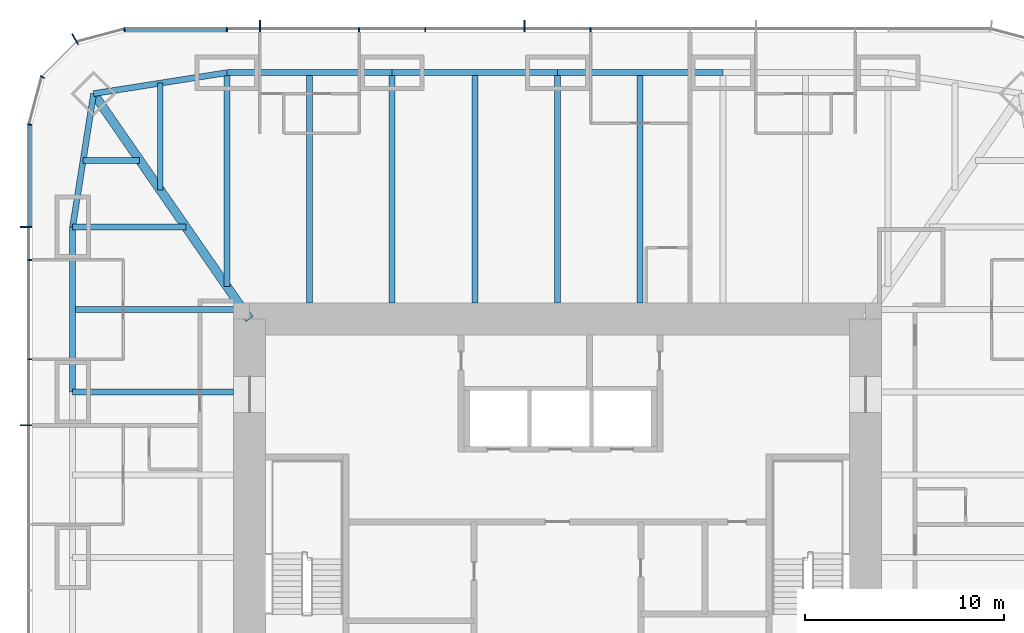
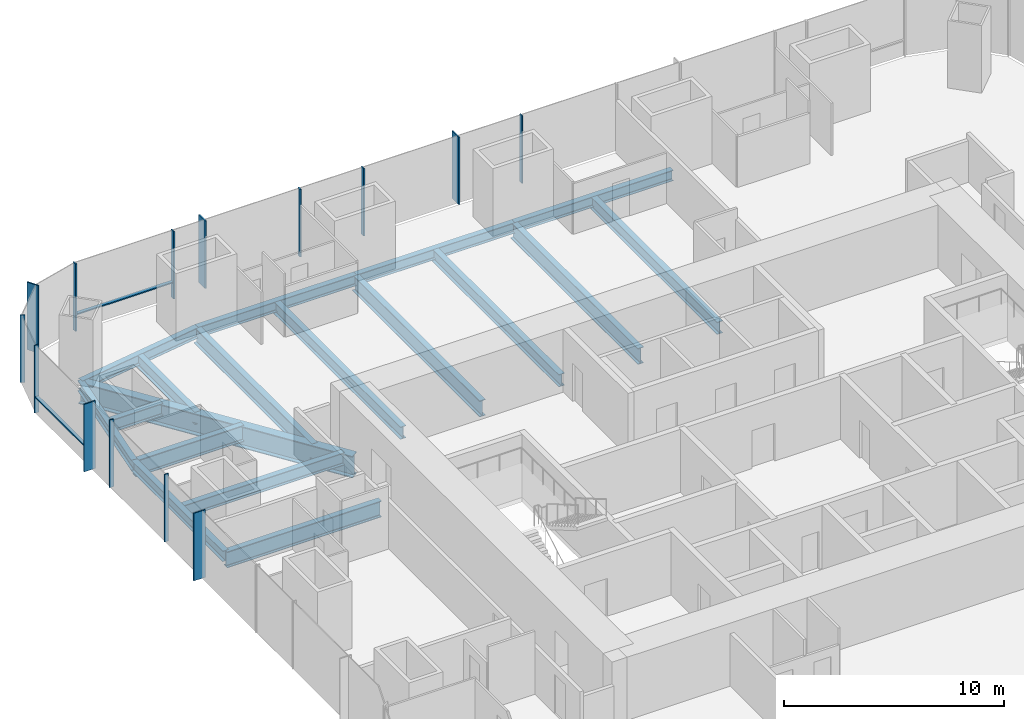
# One storey, part 5 of 12: 18 beams, 16 members, 3 elements without a shape of their own.
"""IFC4 building model written with IfcOpenShell, lengths in metres."""

from ifc_helpers import new_model, si_unit, direction, frame, origin, origin_2d, place, context, subcontext, project, spatial, rectangle, i_section, extrude, material, material_profile, profile_set, type_object, element, aggregate, save


model = new_model("IFC4")

# Units and contexts
model_context = context("Model", 3, precision=1e-05, world=origin(), true_north=direction((0.0, 1.0)))
body_context = subcontext(model_context, "Body", "Model", "MODEL_VIEW")
ifc_project = project(units=[si_unit("LENGTHUNIT", "METRE"), si_unit("AREAUNIT", "SQUARE_METRE"), si_unit("VOLUMEUNIT", "CUBIC_METRE"), si_unit("PLANEANGLEUNIT", "RADIAN"), si_unit("MASSUNIT", "GRAM", prefix="KILO")], contexts=[model_context])

# Site, building, storey
site_placement = place(None, origin())
site = spatial("IfcSite", under=ifc_project, at=site_placement, CompositionType="ELEMENT")
building_placement = place(site_placement, origin())
building = spatial("IfcBuilding", under=site, at=building_placement, Name="Khuree Lantern Residences", CompositionType="ELEMENT")
storey_placement = place(building_placement, frame((0.0, 0.0, 210.75)))
storey = spatial("IfcBuildingStorey", under=building, at=storey_placement, Name="L52", CompositionType="ELEMENT", Elevation=210.75)

# Beams
ifc_material_1 = material(Name="Steel S355", Category="steel")
ifc_material_profile_1 = material_profile(ifc_material_1, i_section(OverallWidth=0.300048828125, OverallDepth=0.68994140625, WebThickness=0.014404296875, FlangeThickness=0.027099609375, FilletRadius=0.027099609375, at=origin_2d()), Name="HE 700 A")
ifc_profile_set_1 = profile_set([ifc_material_profile_1], Name="Steel S355")
beam_type_1 = type_object("IfcBeamType", Name="B-31 SECONDARY BEAM HE 700 A", PredefinedType="BEAM", material=ifc_profile_set_1)
for number, where, z_axis, x_axis, name in (
    (1, (-12.47998046875, 24.39990234375, -0.594970703125), (0.0, -1.0, 0.0), (1.0, 0.0, 0.0), "Secondary beam N1"),
    (2, (-4.159912109375, 24.39990234375, -0.594970703125), (0.0, -1.0, 0.0), (1.0, 0.0, 0.0), "Secondary beam N2"),
    (3, (4.159912109375, 24.39990234375, -0.594970703125), (0.0, -1.0, 0.0), (1.0, 0.0, 0.0), "Secondary beam N3"),
):
    element("IfcBeam", number, at=place(storey_placement, frame(where, z_axis=z_axis, x_axis=x_axis)), inside=storey, type_object=beam_type_1, Name=name, PredefinedType="BEAM", context=body_context, shape_type="SweptSolid", body=[
        extrude(i_section(OverallWidth=0.300048828125, OverallDepth=0.68994140625, WebThickness=0.014404296875, FlangeThickness=0.027099609375, FilletRadius=0.027099609375, at=origin_2d()), origin(), (0.0, 0.0, 1.0), 11.599853515625),
    ])
beam_1_placement = place(storey_placement, frame((-24.39990234375, 12.47998046875, -0.594970703125), z_axis=(1.0, 0.0, 0.0), x_axis=(0.0, 1.0, 0.0)))
element("IfcBeam", 4, at=beam_1_placement, inside=storey, type_object=beam_type_1, Name="Secondary beam W5", PredefinedType="BEAM", context=body_context, shape_type="SweptSolid", body=[
    extrude(i_section(OverallWidth=0.300048828125, OverallDepth=0.68994140625, WebThickness=0.014404296875, FlangeThickness=0.027099609375, FilletRadius=0.027099609375, at=origin_2d()), origin(), (0.0, 0.0, 1.0), 8.56787109375),
])
beam_2_placement = place(storey_placement, frame((-23.872802734375, 19.992919921875, -0.594970703125), z_axis=(1.0, 0.0, 0.0), x_axis=(0.0, 1.0, 0.0)))
element("IfcBeam", 5, at=beam_2_placement, inside=storey, type_object=beam_type_1, Name="Secondary beam W6", PredefinedType="BEAM", context=body_context, shape_type="SweptSolid", body=[
    extrude(i_section(OverallWidth=0.300048828125, OverallDepth=0.68994140625, WebThickness=0.014404296875, FlangeThickness=0.027099609375, FilletRadius=0.027099609375, at=origin_2d()), origin(), (0.0, 0.0, 1.0), 2.845703125),
])
beam_3_placement = place(storey_placement, frame((-19.992919921875, 23.872802734375, -0.594970703125), z_axis=(0.0, -1.0, 0.0), x_axis=(1.0, 0.0, 0.0)))
element("IfcBeam", 6, at=beam_3_placement, inside=storey, type_object=beam_type_1, Name="Secondary beam N6", PredefinedType="BEAM", context=body_context, shape_type="SweptSolid", body=[
    extrude(i_section(OverallWidth=0.300048828125, OverallDepth=0.68994140625, WebThickness=0.014404296875, FlangeThickness=0.027099609375, FilletRadius=0.027099609375, at=origin_2d()), origin(), (0.0, 0.0, 1.0), 5.375732421875),
])
ifc_material_profile_2 = material_profile(ifc_material_1, i_section(OverallWidth=0.300048828125, OverallDepth=0.590087890625, WebThickness=0.012939453125, FlangeThickness=0.02490234375, FilletRadius=0.027099609375, at=origin_2d()), Name="HE 600 A")
ifc_profile_set_2 = profile_set([ifc_material_profile_2], Name="Steel S355")
beam_type_2 = type_object("IfcBeamType", Name="E-31 SPANDREL BEAM HE 600 A", PredefinedType="SPANDREL", material=ifc_profile_set_2)
beam_4_placement = place(storey_placement, frame((-16.639892578125, 24.39990234375, -0.544921875), z_axis=(1.0, 0.0, 0.0), x_axis=(0.0, 1.0, 0.0)))
element("IfcBeam", 7, at=beam_4_placement, inside=storey, type_object=beam_type_2, Name="Spandrel beam N1", PredefinedType="SPANDREL", context=body_context, shape_type="SweptSolid", body=[
    extrude(i_section(OverallWidth=0.300048828125, OverallDepth=0.590087890625, WebThickness=0.012939453125, FlangeThickness=0.02490234375, FilletRadius=0.027099609375, at=origin_2d()), origin(), (0.0, 0.0, 1.0), 8.31982421875),
])
for number, where, z_axis, x_axis, name in (
    (8, (-8.320068359375, 24.39990234375, -0.544921875), (1.0, 0.0, 0.0), (0.0, 1.0, 0.0), "Spandrel beam N2"),
    (9, (0.0, 24.39990234375, -0.544921875), (1.0, 0.0, 0.0), (0.0, 1.0, 0.0), "Spandrel beam N3"),
):
    element("IfcBeam", number, at=place(storey_placement, frame(where, z_axis=z_axis, x_axis=x_axis)), inside=storey, type_object=beam_type_2, Name=name, PredefinedType="SPANDREL", context=body_context, shape_type="SweptSolid", body=[
        extrude(i_section(OverallWidth=0.300048828125, OverallDepth=0.590087890625, WebThickness=0.012939453125, FlangeThickness=0.02490234375, FilletRadius=0.027099609375, at=origin_2d()), origin(), (0.0, 0.0, 1.0), 8.320068359375),
    ])
beam_5_placement = place(storey_placement, frame((-24.39990234375, 8.320068359375, -0.544921875), z_axis=(0.0, 1.0, 0.0), x_axis=(-1.0, 0.0, 0.0)))
element("IfcBeam", 10, at=beam_5_placement, inside=storey, type_object=beam_type_2, Name="Spandrel beam W5", PredefinedType="SPANDREL", context=body_context, shape_type="SweptSolid", body=[
    extrude(i_section(OverallWidth=0.300048828125, OverallDepth=0.590087890625, WebThickness=0.012939453125, FlangeThickness=0.02490234375, FilletRadius=0.027099609375, at=origin_2d()), origin(), (0.0, 0.0, 1.0), 8.31982421875),
])
for number, where, z_axis, x_axis, name in (
    (11, (-24.39990234375, 16.639892578125, -0.544921875), (0.155299507442, 0.98786743189, 0.0), (-0.98786743189, 0.155299507442, 0.0), "Spandrel beam W6"),
    (12, (-23.345703125, 23.345703125, -0.544921875), (0.98786743189, 0.155299507442, 0.0), (-0.155299507442, 0.98786743189, 0.0), "Spandrel beam N6"),
):
    element("IfcBeam", number, at=place(storey_placement, frame(where, z_axis=z_axis, x_axis=x_axis)), inside=storey, type_object=beam_type_2, Name=name, PredefinedType="SPANDREL", context=body_context, shape_type="SweptSolid", body=[
        extrude(i_section(OverallWidth=0.300048828125, OverallDepth=0.590087890625, WebThickness=0.012939453125, FlangeThickness=0.02490234375, FilletRadius=0.027099609375, at=origin_2d()), origin(), (0.0, 0.0, 1.0), 6.7880859375),
    ])

# Curtain wall, members
ifc_material_2 = material(Name="Bronze anodised aluminium", Category="aluminium")
curtain_wall_type_1 = type_object("IfcCurtainWallType", Name="CW-T1 TOWER FACE CURTAIN WALL", PredefinedType="USERDEFINED", material=ifc_material_2)
curtain_wall_1_placement = place(storey_placement, origin())
curtain_wall_1 = element("IfcCurtainWall", 13, at=curtain_wall_1_placement, inside=storey, type_object=curtain_wall_type_1, Name="L52 NORTH FACE CURTAIN WALL", ObjectType="Stick-built curtain wall", PredefinedType="USERDEFINED")
ifc_material_profile_3 = material_profile(ifc_material_2, rectangle(XDim=0.06494140625, YDim=0.60009765625, at=origin_2d()), Name="F1 65X600")
ifc_profile_set_3 = profile_set([ifc_material_profile_3], Name="Bronze anodised aluminium")
member_type_1 = type_object("IfcMemberType", Name="F1 BRONZE FIN MULLION TOWER 65X600", PredefinedType="MULLION", material=ifc_profile_set_3)
member_1_placement = place(storey_placement, frame((-1.6640625, 26.75, 0.0), z_axis=(0.0, 0.0, 1.0), x_axis=(-1.0, 0.0, 0.0)))
member_1 = element("IfcMember", 14, at=member_1_placement, type_object=member_type_1, Name="L52 NORTH FACE FIN MULLION 24", PredefinedType="MULLION", context=body_context, shape_type="SweptSolid", body=[
    extrude(rectangle(XDim=0.06494140625, YDim=0.60009765625, at=origin_2d()), origin(), (0.0, 0.0, 1.0), 3.75),
])
member_2_placement = place(storey_placement, frame((-14.97607421875, 26.75, 0.0), z_axis=(0.0, 0.0, 1.0), x_axis=(-1.0, 0.0, 0.0)))
member_2 = element("IfcMember", 15, at=member_2_placement, type_object=member_type_1, Name="L52 NORTH FACE FIN MULLION 27", PredefinedType="MULLION", context=body_context, shape_type="SweptSolid", body=[
    extrude(rectangle(XDim=0.06494140625, YDim=0.60009765625, at=origin_2d()), origin(), (0.0, 0.0, 1.0), 3.75),
])

# Curtain wall, member
curtain_wall_type_2 = type_object("IfcCurtainWallType", Name="CW-T2 TOWER CORNER CURTAIN WALL", PredefinedType="USERDEFINED", material=ifc_material_2)
curtain_wall_2_placement = place(storey_placement, origin())
curtain_wall_2 = element("IfcCurtainWall", 16, at=curtain_wall_2_placement, inside=storey, type_object=curtain_wall_type_2, Name="L52 NORTH-WEST CORNER CURTAIN WALL", ObjectType="Faceted corner curtain wall", PredefinedType="USERDEFINED")
member_3_placement = place(storey_placement, frame((-24.27490234375, 26.0869140625, 0.0), z_axis=(0.0, 0.0, 1.0), x_axis=(-0.866025409797, -0.499999989586, 0.0)))
member_3 = element("IfcMember", 17, at=member_3_placement, type_object=member_type_1, Name="L52 NORTH-WEST CORNER FIN MULLION 30", PredefinedType="MULLION", context=body_context, shape_type="SweptSolid", body=[
    extrude(rectangle(XDim=0.06494140625, YDim=0.60009765625, at=origin_2d()), origin(), (0.0, 0.0, 1.0), 3.75),
])

# Curtain wall, members
curtain_wall_3_placement = place(storey_placement, origin())
curtain_wall_3 = element("IfcCurtainWall", 18, at=curtain_wall_3_placement, inside=storey, type_object=curtain_wall_type_1, Name="L52 WEST FACE CURTAIN WALL", ObjectType="Stick-built curtain wall", PredefinedType="USERDEFINED")
member_4_placement = place(storey_placement, frame((-26.75, 16.639892578125, 0.0), z_axis=(0.0, 0.0, 1.0), x_axis=(0.0, -1.0, 0.0)))
member_4 = element("IfcMember", 19, at=member_4_placement, type_object=member_type_1, Name="L52 WEST FACE FIN MULLION 33", PredefinedType="MULLION", context=body_context, shape_type="SweptSolid", body=[
    extrude(rectangle(XDim=0.06494140625, YDim=0.60009765625, at=origin_2d()), origin(), (0.0, 0.0, 1.0), 3.75),
])
member_5_placement = place(storey_placement, frame((-26.75, 6.656005859375, 0.0), z_axis=(0.0, 0.0, 1.0), x_axis=(0.0, -1.0, 0.0)))
member_5 = element("IfcMember", 20, at=member_5_placement, type_object=member_type_1, Name="L52 WEST FACE FIN MULLION 36", PredefinedType="MULLION", context=body_context, shape_type="SweptSolid", body=[
    extrude(rectangle(XDim=0.06494140625, YDim=0.60009765625, at=origin_2d()), origin(), (0.0, 0.0, 1.0), 3.75),
])

# Beams
ifc_material_profile_4 = material_profile(ifc_material_1, i_section(OverallWidth=0.300048828125, OverallDepth=0.89990234375, WebThickness=0.0185546875, FlangeThickness=0.034912109375, FilletRadius=0.030029296875, at=origin_2d()), Name="HE 900 B")
ifc_profile_set_4 = profile_set([ifc_material_profile_4], Name="Steel S355")
beam_type_3 = type_object("IfcBeamType", Name="G-31A GIRDER HE 900 B", PredefinedType="BEAM", material=ifc_profile_set_4)
beam_6_placement = place(storey_placement, frame((-16.639892578125, 24.39990234375, -0.699951171875), z_axis=(0.0, -1.0, 0.0), x_axis=(1.0, 0.0, 0.0)))
element("IfcBeam", 21, at=beam_6_placement, inside=storey, type_object=beam_type_3, Name="Girder N1", PredefinedType="BEAM", context=body_context, shape_type="SweptSolid", body=[
    extrude(i_section(OverallWidth=0.300048828125, OverallDepth=0.89990234375, WebThickness=0.0185546875, FlangeThickness=0.034912109375, FilletRadius=0.030029296875, at=origin_2d()), origin(), (0.0, 0.0, 1.0), 10.751220703125),
])
for number, where, z_axis, x_axis, name in (
    (22, (-8.320068359375, 24.39990234375, -0.699951171875), (0.0, -1.0, 0.0), (1.0, 0.0, 0.0), "Girder N2"),
    (23, (0.0, 24.39990234375, -0.699951171875), (0.0, -1.0, 0.0), (1.0, 0.0, 0.0), "Girder N3"),
):
    element("IfcBeam", number, at=place(storey_placement, frame(where, z_axis=z_axis, x_axis=x_axis)), inside=storey, type_object=beam_type_3, Name=name, PredefinedType="BEAM", context=body_context, shape_type="SweptSolid", body=[
        extrude(i_section(OverallWidth=0.300048828125, OverallDepth=0.89990234375, WebThickness=0.0185546875, FlangeThickness=0.034912109375, FilletRadius=0.030029296875, at=origin_2d()), origin(), (0.0, 0.0, 1.0), 11.599853515625),
    ])
beam_7_placement = place(storey_placement, frame((-24.39990234375, 8.320068359375, -0.699951171875), z_axis=(1.0, 0.0, 0.0), x_axis=(0.0, 1.0, 0.0)))
element("IfcBeam", 24, at=beam_7_placement, inside=storey, type_object=beam_type_3, Name="Girder W4", PredefinedType="BEAM", context=body_context, shape_type="SweptSolid", body=[
    extrude(i_section(OverallWidth=0.300048828125, OverallDepth=0.89990234375, WebThickness=0.0185546875, FlangeThickness=0.034912109375, FilletRadius=0.030029296875, at=origin_2d()), origin(), (0.0, 0.0, 1.0), 8.099853515625),
])
beam_8_placement = place(storey_placement, frame((-24.39990234375, 16.639892578125, -0.699951171875), z_axis=(1.0, 0.0, 0.0), x_axis=(0.0, 1.0, 0.0)))
element("IfcBeam", 25, at=beam_8_placement, inside=storey, type_object=beam_type_3, Name="Girder W5", PredefinedType="BEAM", context=body_context, shape_type="SweptSolid", body=[
    extrude(i_section(OverallWidth=0.300048828125, OverallDepth=0.89990234375, WebThickness=0.0185546875, FlangeThickness=0.034912109375, FilletRadius=0.030029296875, at=origin_2d()), origin(), (0.0, 0.0, 1.0), 5.69140625),
])
ifc_material_profile_5 = material_profile(ifc_material_1, i_section(OverallWidth=0.449951171875, OverallDepth=1.199951171875, WebThickness=0.02490234375, FlangeThickness=0.044921875, at=origin_2d()), Name="WELDED I 1200X450X25X45")
ifc_profile_set_5 = profile_set([ifc_material_profile_5], Name="Steel S355")
beam_type_4 = type_object("IfcBeamType", Name="GD-31 CORNER GIRDER WELDED I 1200X450X25X45", PredefinedType="BEAM", material=ifc_profile_set_5)
beam_9_placement = place(storey_placement, frame((-23.345703125, 23.345703125, -0.85009765625), z_axis=(0.56876813501, -0.822497907959, 0.0), x_axis=(0.822497907959, 0.56876813501, 0.0)))
element("IfcBeam", 26, at=beam_9_placement, inside=storey, type_object=beam_type_4, Name="Corner girder NW", PredefinedType="BEAM", context=body_context, shape_type="SweptSolid", body=[
    extrude(i_section(OverallWidth=0.449951171875, OverallDepth=1.199951171875, WebThickness=0.02490234375, FlangeThickness=0.044921875, at=origin_2d()), origin(), (0.0, 0.0, 1.0), 13.794189453125),
])

# Member
ifc_material_profile_6 = material_profile(ifc_material_2, rectangle(XDim=0.06494140625, YDim=0.219970703125, at=origin_2d()), Name="M1 65X220")
ifc_profile_set_6 = profile_set([ifc_material_profile_6], Name="Bronze anodised aluminium")
member_type_2 = type_object("IfcMemberType", Name="M1 BRONZE MULLION TOWER 65X220", PredefinedType="MULLION", material=ifc_profile_set_6)
member_6_placement = place(storey_placement, frame((1.6640625, 26.56005859375, 0.0), z_axis=(0.0, 0.0, 1.0), x_axis=(-1.0, 0.0, 0.0)))
member_6 = element("IfcMember", 27, at=member_6_placement, type_object=member_type_2, Name="L52 NORTH FACE MULLION 23", PredefinedType="MULLION", context=body_context, shape_type="SweptSolid", body=[
    extrude(rectangle(XDim=0.06494140625, YDim=0.219970703125, at=origin_2d()), origin(), (0.0, 0.0, 1.0), 3.75),
])

member_7_placement = place(storey_placement, frame((-6.656005859375, 26.56005859375, 0.0), z_axis=(0.0, 0.0, 1.0), x_axis=(-1.0, 0.0, 0.0)))
member_7 = element("IfcMember", 28, at=member_7_placement, type_object=member_type_2, Name="L52 NORTH FACE MULLION 25", PredefinedType="MULLION", context=body_context, shape_type="SweptSolid", body=[
    extrude(rectangle(XDim=0.06494140625, YDim=0.219970703125, at=origin_2d()), origin(), (0.0, 0.0, 1.0), 3.75),
])

member_8_placement = place(storey_placement, frame((-9.98388671875, 26.56005859375, 0.0), z_axis=(0.0, 0.0, 1.0), x_axis=(-1.0, 0.0, 0.0)))
member_8 = element("IfcMember", 29, at=member_8_placement, type_object=member_type_2, Name="L52 NORTH FACE MULLION 26", PredefinedType="MULLION", context=body_context, shape_type="SweptSolid", body=[
    extrude(rectangle(XDim=0.06494140625, YDim=0.219970703125, at=origin_2d()), origin(), (0.0, 0.0, 1.0), 3.75),
])

member_9_placement = place(storey_placement, frame((-16.639892578125, 26.56005859375, 0.0), z_axis=(0.0, 0.0, 1.0), x_axis=(-1.0, 0.0, 0.0)))
member_9 = element("IfcMember", 30, at=member_9_placement, type_object=member_type_2, Name="L52 NORTH FACE MULLION 28", PredefinedType="MULLION", context=body_context, shape_type="SweptSolid", body=[
    extrude(rectangle(XDim=0.06494140625, YDim=0.219970703125, at=origin_2d()), origin(), (0.0, 0.0, 1.0), 3.75),
])

member_10_placement = place(storey_placement, frame((-21.794921875, 26.561767578125, 0.0), z_axis=(0.0, 0.0, 1.0), x_axis=(-0.991444862943, -0.130526180298, 0.0)))
member_10 = element("IfcMember", 31, at=member_10_placement, type_object=member_type_2, Name="L52 NORTH-WEST CORNER MULLION 29", PredefinedType="MULLION", context=body_context, shape_type="SweptSolid", body=[
    extrude(rectangle(XDim=0.06494140625, YDim=0.219970703125, at=origin_2d()), origin(), (0.0, 0.0, 1.0), 3.75),
])

member_11_placement = place(storey_placement, frame((-25.92236328125, 24.179931640625, 0.0), z_axis=(0.0, 0.0, 1.0), x_axis=(-0.499999989586, -0.866025409797, 0.0)))
member_11 = element("IfcMember", 32, at=member_11_placement, type_object=member_type_2, Name="L52 NORTH-WEST CORNER MULLION 31", PredefinedType="MULLION", context=body_context, shape_type="SweptSolid", body=[
    extrude(rectangle(XDim=0.06494140625, YDim=0.219970703125, at=origin_2d()), origin(), (0.0, 0.0, 1.0), 3.75),
])

aggregate(curtain_wall_2, [member_10, member_3, member_11])

member_12_placement = place(storey_placement, frame((-26.561767578125, 21.794921875, 0.0), z_axis=(0.0, 0.0, 1.0), x_axis=(-0.130526180298, -0.991444862943, 0.0)))
member_12 = element("IfcMember", 33, at=member_12_placement, type_object=member_type_2, Name="L52 WEST FACE MULLION 32", PredefinedType="MULLION", context=body_context, shape_type="SweptSolid", body=[
    extrude(rectangle(XDim=0.06494140625, YDim=0.219970703125, at=origin_2d()), origin(), (0.0, 0.0, 1.0), 3.75),
])

member_13_placement = place(storey_placement, frame((-26.56005859375, 14.97607421875, 0.0), z_axis=(0.0, 0.0, 1.0), x_axis=(0.0, -1.0, 0.0)))
member_13 = element("IfcMember", 34, at=member_13_placement, type_object=member_type_2, Name="L52 WEST FACE MULLION 34", PredefinedType="MULLION", context=body_context, shape_type="SweptSolid", body=[
    extrude(rectangle(XDim=0.06494140625, YDim=0.219970703125, at=origin_2d()), origin(), (0.0, 0.0, 1.0), 3.75),
])

member_14_placement = place(storey_placement, frame((-26.56005859375, 9.98388671875, 0.0), z_axis=(0.0, 0.0, 1.0), x_axis=(0.0, -1.0, 0.0)))
member_14 = element("IfcMember", 35, at=member_14_placement, type_object=member_type_2, Name="L52 WEST FACE MULLION 35", PredefinedType="MULLION", context=body_context, shape_type="SweptSolid", body=[
    extrude(rectangle(XDim=0.06494140625, YDim=0.219970703125, at=origin_2d()), origin(), (0.0, 0.0, 1.0), 3.75),
])

ifc_material_profile_7 = material_profile(ifc_material_2, rectangle(XDim=0.179931640625, YDim=0.06494140625, at=origin_2d()), Name="T1 180X65")
ifc_profile_set_7 = profile_set([ifc_material_profile_7], Name="Bronze anodised aluminium")
member_type_3 = type_object("IfcMemberType", Name="TRANSOM T1 TOWER 180X65", PredefinedType="USERDEFINED", material=ifc_profile_set_7)
member_15_placement = place(storey_placement, frame((-16.672607421875, 26.570068359375, 0.89990234375), z_axis=(-1.0, 0.0, 0.0), x_axis=(0.0, -1.0, 0.0)))
member_15 = element("IfcMember", 36, at=member_15_placement, type_object=member_type_3, Name="L52 NORTH FACE TRANSOM 28.1", ObjectType="Transom", PredefinedType="USERDEFINED", context=body_context, shape_type="SweptSolid", body=[
    extrude(rectangle(XDim=0.179931640625, YDim=0.06494140625, at=origin_2d()), origin(), (0.0, 0.0, 1.0), 5.078857421875),
])

aggregate(curtain_wall_1, [member_6, member_1, member_7, member_8, member_2, member_9, member_15])

member_16_placement = place(storey_placement, frame((-26.570068359375, 21.75146484375, 0.89990234375), z_axis=(0.0, -1.0, 0.0), x_axis=(1.0, 0.0, 0.0)))
member_16 = element("IfcMember", 37, at=member_16_placement, type_object=member_type_3, Name="L52 WEST FACE TRANSOM 32.1", ObjectType="Transom", PredefinedType="USERDEFINED", context=body_context, shape_type="SweptSolid", body=[
    extrude(rectangle(XDim=0.179931640625, YDim=0.06494140625, at=origin_2d()), origin(), (0.0, 0.0, 1.0), 5.078857421875),
])

aggregate(curtain_wall_3, [member_12, member_4, member_13, member_14, member_5, member_16])

save(model, "model.ifc")
